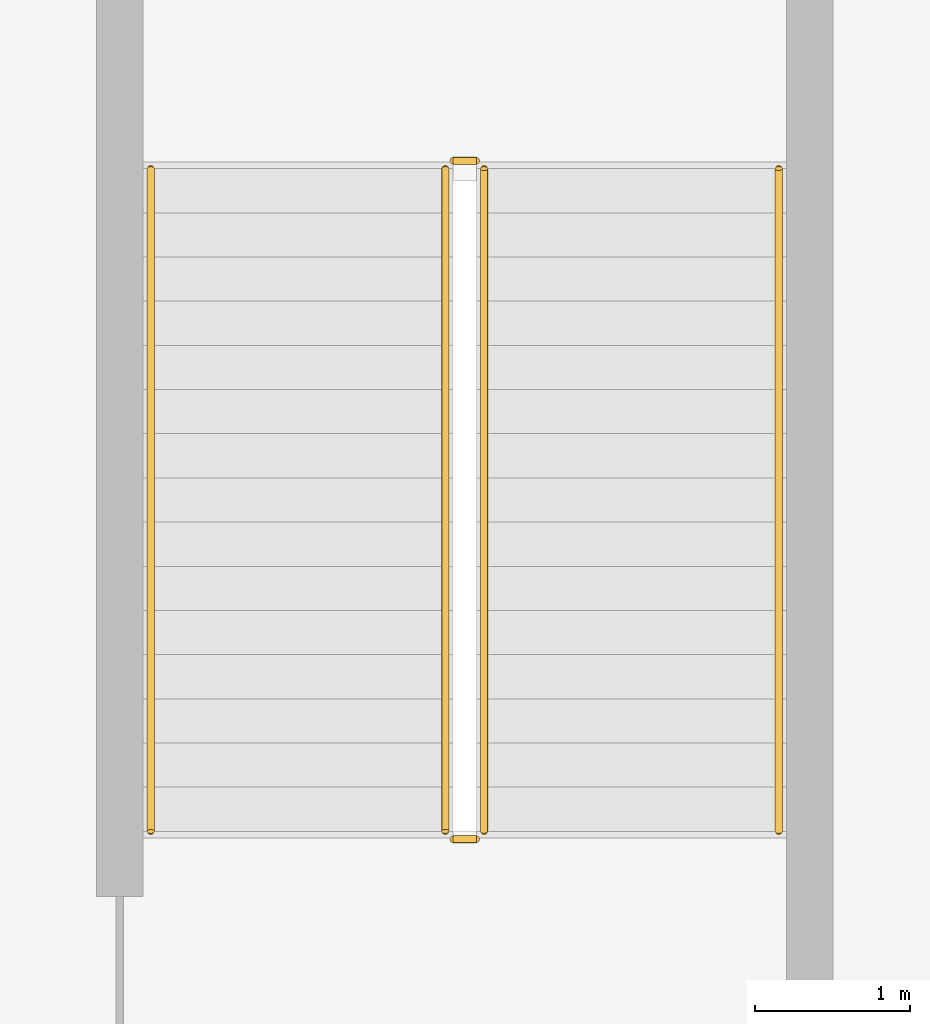
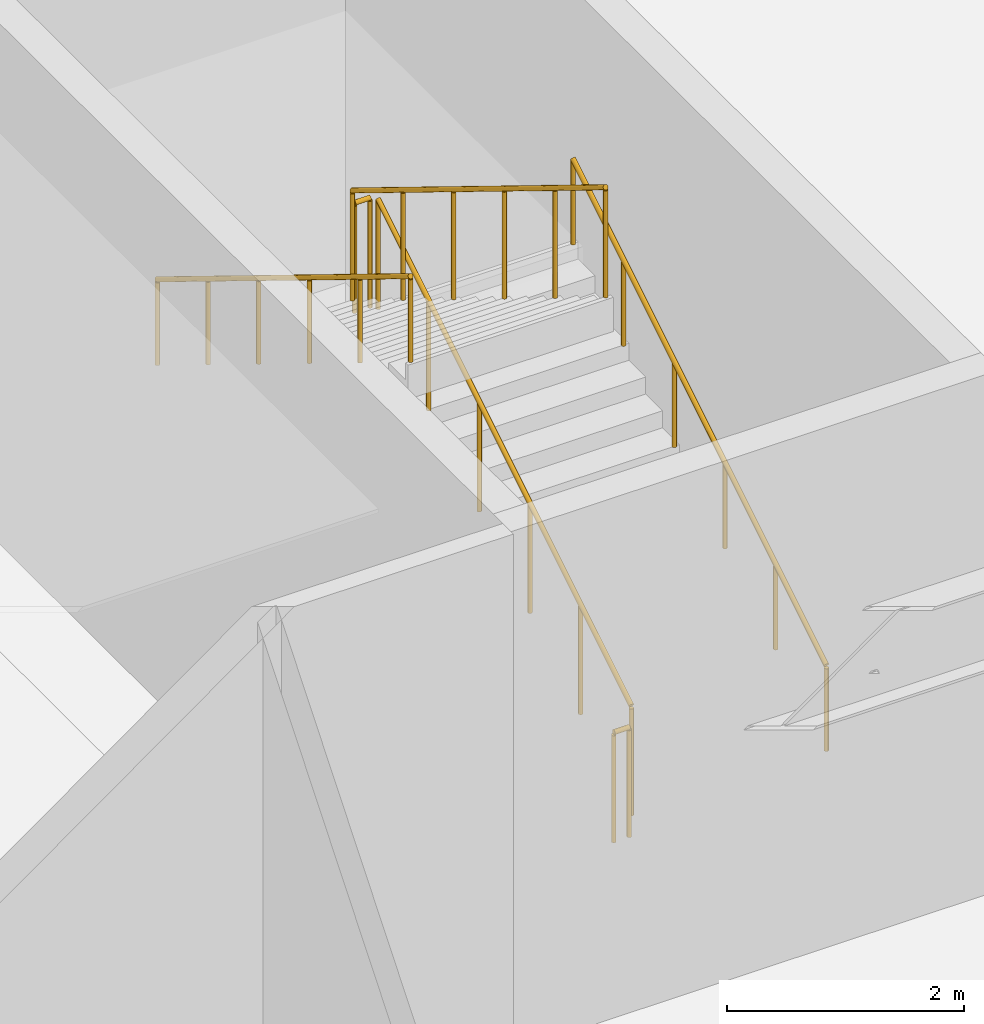
# One storey, part 21 of 21: 6 railings.
"""IFC4 building model written with IfcOpenShell, lengths in metres."""

from ifc_helpers import new_model, si_unit, direction, frame, origin, origin_2d, place, context, subcontext, project, spatial, circle, extrude, material, type_object, element, save


model = new_model("IFC4")

# Units and contexts
model_context = context("Model", 3, precision=1e-05, world=origin(), true_north=direction((0.0, 1.0)))
body_context = subcontext(model_context, "Body", "Model", "MODEL_VIEW")
ifc_project = project(units=[si_unit("LENGTHUNIT", "METRE"), si_unit("AREAUNIT", "SQUARE_METRE"), si_unit("VOLUMEUNIT", "CUBIC_METRE"), si_unit("PLANEANGLEUNIT", "RADIAN"), si_unit("MASSUNIT", "GRAM", prefix="KILO")], contexts=[model_context])

# Site, building, storey
site_placement = place(None, origin())
site = spatial("IfcSite", under=ifc_project, at=site_placement, CompositionType="ELEMENT")
building_placement = place(site_placement, origin())
building = spatial("IfcBuilding", under=site, at=building_placement, Name="Nhamokura Convention Tower", CompositionType="ELEMENT")
storey_placement = place(building_placement, frame((0.0, 0.0, 12.25)))
storey = spatial("IfcBuildingStorey", under=building, at=storey_placement, Name="L02", CompositionType="ELEMENT", Elevation=12.25)

# Railings
ifc_material_1 = material(Name="Anodised bronze stainless steel", Category="steel")
railing_type_1 = type_object("IfcRailingType", Name="StairWallHandrail_900", PredefinedType="HANDRAIL", material=ifc_material_1)
railing_1_placement = place(storey_placement, frame((52.75, 48.25, 0.175048828125)))
element("IfcRailing", 1, at=railing_1_placement, inside=storey, type_object=railing_type_1, Name="L02 ST-05 stair handrail 1", PredefinedType="HANDRAIL", context=body_context, shape_type="SweptSolid", body=[
    extrude(circle(Radius=0.02392578125, at=origin_2d()), frame((0.0, 0.0, 0.8759765625), z_axis=(0.0, 0.852165895541, 0.523271713813), x_axis=(-1.0, 0.0, 0.0)), (0.0, 0.0, 1.0), 5.0166015625),
    extrude(circle(Radius=0.02099609375, at=origin_2d()), origin(), (0.0, 0.0, 1.0), 0.851806640625),
    extrude(circle(Radius=0.02099609375, at=origin_2d()), frame((0.0, 0.85498046875, 0.52490234375)), (0.0, 0.0, 1.0), 0.851806640625),
    extrude(circle(Radius=0.02099609375, at=origin_2d()), frame((0.0, 1.7099609375, 1.050048828125)), (0.0, 0.0, 1.0), 0.851806640625),
    extrude(circle(Radius=0.02099609375, at=origin_2d()), frame((0.0, 2.56494140625, 1.574951171875)), (0.0, 0.0, 1.0), 0.851806640625),
    extrude(circle(Radius=0.02099609375, at=origin_2d()), frame((0.0, 3.419921875, 2.10009765625)), (0.0, 0.0, 1.0), 0.851806640625),
    extrude(circle(Radius=0.02099609375, at=origin_2d()), frame((0.0, 4.27490234375, 2.625)), (0.0, 0.0, 1.0), 0.851806640625),
])
railing_2_placement = place(storey_placement, frame((48.699951171875, 52.52490234375, 2.97509765625)))
element("IfcRailing", 2, at=railing_2_placement, inside=storey, type_object=railing_type_1, Name="L02 ST-05 stair handrail 2", PredefinedType="HANDRAIL", context=body_context, shape_type="SweptSolid", body=[
    extrude(circle(Radius=0.02392578125, at=origin_2d()), frame((0.0, 0.0, 0.8759765625), z_axis=(0.0, -0.852165895541, 0.523271713813), x_axis=(1.0, 0.0, 0.0)), (0.0, 0.0, 1.0), 5.0166015625),
    extrude(circle(Radius=0.02099609375, at=origin_2d()), origin(), (0.0, 0.0, 1.0), 0.851806640625),
    extrude(circle(Radius=0.02099609375, at=origin_2d()), frame((0.0, -0.85498046875, 0.52490234375)), (0.0, 0.0, 1.0), 0.851806640625),
    extrude(circle(Radius=0.02099609375, at=origin_2d()), frame((0.0, -1.7099609375, 1.050048828125)), (0.0, 0.0, 1.0), 0.851806640625),
    extrude(circle(Radius=0.02099609375, at=origin_2d()), frame((0.0, -2.56494140625, 1.574951171875)), (0.0, 0.0, 1.0), 0.851806640625),
    extrude(circle(Radius=0.02099609375, at=origin_2d()), frame((0.0, -3.419921875, 2.10009765625)), (0.0, 0.0, 1.0), 0.851806640625),
    extrude(circle(Radius=0.02099609375, at=origin_2d()), frame((0.0, -4.27490234375, 2.625)), (0.0, 0.0, 1.0), 0.851806640625),
])
ifc_material_2 = material(Name="Painted tubular steel", Category="steel")
railing_type_2 = type_object("IfcRailingType", Name="StairWellGuardrail_1150", PredefinedType="GUARDRAIL", material=ifc_material_2)
railing_3_placement = place(storey_placement, frame((50.85009765625, 48.25, 0.175048828125)))
element("IfcRailing", 3, at=railing_3_placement, inside=storey, type_object=railing_type_2, Name="L02 ST-05 stair guard 1", PredefinedType="GUARDRAIL", context=body_context, shape_type="SweptSolid", body=[
    extrude(circle(Radius=0.02392578125, at=origin_2d()), frame((0.0, 0.0, 1.1259765625), z_axis=(0.0, 0.852165895541, 0.523271713813), x_axis=(-1.0, 0.0, 0.0)), (0.0, 0.0, 1.0), 5.0166015625),
    extrude(circle(Radius=0.02099609375, at=origin_2d()), origin(), (0.0, 0.0, 1.0), 1.101806640625),
    extrude(circle(Radius=0.02099609375, at=origin_2d()), frame((0.0, 0.85498046875, 0.52490234375)), (0.0, 0.0, 1.0), 1.101806640625),
    extrude(circle(Radius=0.02099609375, at=origin_2d()), frame((0.0, 1.7099609375, 1.050048828125)), (0.0, 0.0, 1.0), 1.101806640625),
    extrude(circle(Radius=0.02099609375, at=origin_2d()), frame((0.0, 2.56494140625, 1.574951171875)), (0.0, 0.0, 1.0), 1.101806640625),
    extrude(circle(Radius=0.02099609375, at=origin_2d()), frame((0.0, 3.419921875, 2.10009765625)), (0.0, 0.0, 1.0), 1.101806640625),
    extrude(circle(Radius=0.02099609375, at=origin_2d()), frame((0.0, 4.27490234375, 2.625)), (0.0, 0.0, 1.0), 1.101806640625),
])
railing_4_placement = place(storey_placement, frame((50.800048828125, 52.574951171875, 2.800048828125)))
element("IfcRailing", 4, at=railing_4_placement, inside=storey, type_object=railing_type_2, Name="L02 ST-05 stair guard 2", PredefinedType="GUARDRAIL", context=body_context, shape_type="SweptSolid", body=[
    extrude(circle(Radius=0.02392578125, at=origin_2d()), frame((0.0, 0.0, 1.1259765625), z_axis=(-1.0, 0.0, 0.0), x_axis=(0.0, -1.0, 0.0)), (0.0, 0.0, 1.0), 0.150146484375),
    extrude(circle(Radius=0.02099609375, at=origin_2d()), origin(), (0.0, 0.0, 1.0), 1.101806640625),
    extrude(circle(Radius=0.02099609375, at=origin_2d()), frame((-0.150146484375, 0.0, 0.0)), (0.0, 0.0, 1.0), 1.101806640625),
])
railing_5_placement = place(storey_placement, frame((50.60009765625, 52.52490234375, 2.97509765625)))
element("IfcRailing", 5, at=railing_5_placement, inside=storey, type_object=railing_type_2, Name="L02 ST-05 stair guard 3", PredefinedType="GUARDRAIL", context=body_context, shape_type="SweptSolid", body=[
    extrude(circle(Radius=0.02392578125, at=origin_2d()), frame((0.0, 0.0, 1.1259765625), z_axis=(0.0, -0.852165895541, 0.523271713813), x_axis=(1.0, 0.0, 0.0)), (0.0, 0.0, 1.0), 5.0166015625),
    extrude(circle(Radius=0.02099609375, at=origin_2d()), origin(), (0.0, 0.0, 1.0), 1.101806640625),
    extrude(circle(Radius=0.02099609375, at=origin_2d()), frame((0.0, -0.85498046875, 0.52490234375)), (0.0, 0.0, 1.0), 1.101806640625),
    extrude(circle(Radius=0.02099609375, at=origin_2d()), frame((0.0, -1.7099609375, 1.050048828125)), (0.0, 0.0, 1.0), 1.101806640625),
    extrude(circle(Radius=0.02099609375, at=origin_2d()), frame((0.0, -2.56494140625, 1.574951171875)), (0.0, 0.0, 1.0), 1.101806640625),
    extrude(circle(Radius=0.02099609375, at=origin_2d()), frame((0.0, -3.419921875, 2.10009765625)), (0.0, 0.0, 1.0), 1.101806640625),
    extrude(circle(Radius=0.02099609375, at=origin_2d()), frame((0.0, -4.27490234375, 2.625)), (0.0, 0.0, 1.0), 1.101806640625),
])
railing_6_placement = place(storey_placement, frame((50.800048828125, 48.199951171875, 0.0)))
element("IfcRailing", 6, at=railing_6_placement, inside=storey, type_object=railing_type_2, Name="L02 ST-05 stair guard 4", PredefinedType="GUARDRAIL", context=body_context, shape_type="SweptSolid", body=[
    extrude(circle(Radius=0.02392578125, at=origin_2d()), frame((0.0, 0.0, 1.1259765625), z_axis=(-1.0, 0.0, 0.0), x_axis=(0.0, -1.0, 0.0)), (0.0, 0.0, 1.0), 0.150146484375),
    extrude(circle(Radius=0.02099609375, at=origin_2d()), origin(), (0.0, 0.0, 1.0), 1.101806640625),
    extrude(circle(Radius=0.02099609375, at=origin_2d()), frame((-0.150146484375, 0.0, 0.0)), (0.0, 0.0, 1.0), 1.101806640625),
])

save(model, "model.ifc")
